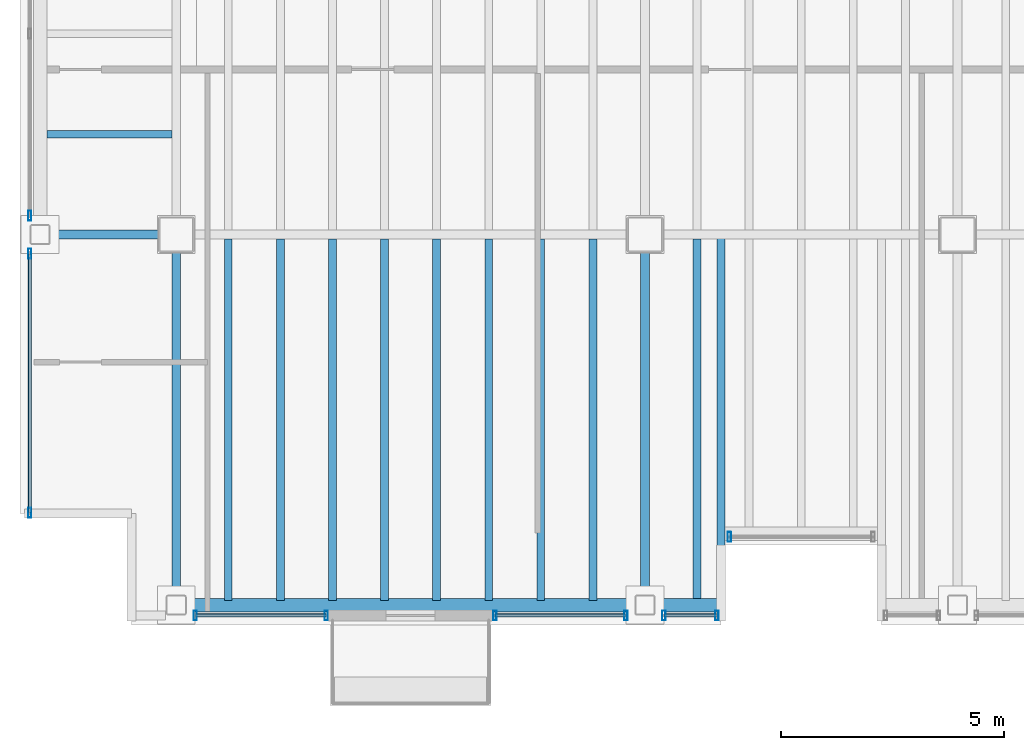
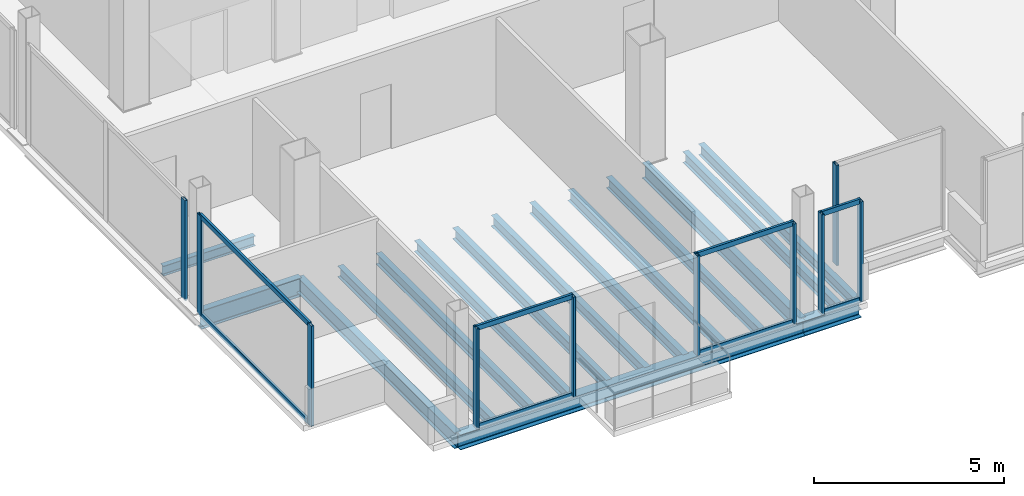
# One storey, part 2 of 15: 18 members, 16 beams, 6 elements without a shape of their own.
"""IFC4 building model written with IfcOpenShell, lengths in metres."""

from ifc_helpers import new_model, si_unit, direction, frame, origin, origin_2d, place, context, subcontext, project, spatial, hollow_rectangle, i_section, extrude, material, material_profile, profile_set, type_object, element, aggregate, save


model = new_model("IFC4")

# Units and contexts
model_context = context("Model", 3, precision=1e-05, world=origin(), true_north=direction((0.0, 1.0)))
body_context = subcontext(model_context, "Body", "Model", "MODEL_VIEW")
ifc_project = project(units=[si_unit("LENGTHUNIT", "METRE"), si_unit("AREAUNIT", "SQUARE_METRE"), si_unit("VOLUMEUNIT", "CUBIC_METRE"), si_unit("PLANEANGLEUNIT", "RADIAN"), si_unit("MASSUNIT", "GRAM", prefix="KILO")], contexts=[model_context])

# Site, building, storey
site_placement = place(None, origin())
site = spatial("IfcSite", under=ifc_project, at=site_placement, CompositionType="ELEMENT")
building_placement = place(site_placement, origin())
building = spatial("IfcBuilding", under=site, at=building_placement, Name="Noeulbin Bourse Tower", CompositionType="ELEMENT")
storey_placement = place(building_placement, frame((0.0, 0.0, 215.0)))
storey = spatial("IfcBuildingStorey", under=building, at=storey_placement, Name="L53", CompositionType="ELEMENT", Elevation=215.0)

# Beams
ifc_material_1 = material(Name="Steel S355", Category="steel")
ifc_material_profile_1 = material_profile(ifc_material_1, i_section(OverallWidth=0.199951171875, OverallDepth=0.5, WebThickness=0.010009765625, FlangeThickness=0.01611328125, FilletRadius=0.02001953125, at=origin_2d()), Name="H-500x200x10x16", Category="LoadBearing")
ifc_profile_set_1 = profile_set([ifc_material_profile_1], Name="Steel S355")
beam_type_1 = type_object("IfcBeamType", Name="BM-GRD-500", PredefinedType="USERDEFINED", material=ifc_profile_set_1)
for number, where, z_axis, x_axis, name in (
    (1, (13.5, 11.699951171875, -0.429931640625), (0.0, 1.0, 0.0), (-1.0, 0.0, 0.0), "Tower Primary Girder NS L53-1.1"),
    (2, (24.0, 11.699951171875, -0.429931640625), (0.0, 1.0, 0.0), (-1.0, 0.0, 0.0), "Tower Primary Girder NS L53-2.1"),
):
    element("IfcBeam", number, at=place(storey_placement, frame(where, z_axis=z_axis, x_axis=x_axis)), inside=storey, type_object=beam_type_1, Name=name, ObjectType="GIRDER", PredefinedType="USERDEFINED", context=body_context, shape_type="SweptSolid", body=[
        extrude(i_section(OverallWidth=0.199951171875, OverallDepth=0.5, WebThickness=0.010009765625, FlangeThickness=0.01611328125, FilletRadius=0.02001953125, at=origin_2d()), origin(), (0.0, 0.0, 1.0), 8.300048828125),
    ])
ifc_material_profile_2 = material_profile(ifc_material_1, i_section(OverallWidth=0.199951171875, OverallDepth=0.60009765625, WebThickness=0.010986328125, FlangeThickness=0.01708984375, FilletRadius=0.02197265625, at=origin_2d()), Name="H-600x200x11x17", Category="LoadBearing")
ifc_profile_set_2 = profile_set([ifc_material_profile_2], Name="Steel S355")
beam_type_2 = type_object("IfcBeamType", Name="BM-GRD-600", PredefinedType="USERDEFINED", material=ifc_profile_set_2)
beam_1_placement = place(storey_placement, frame((10.449951171875, 20.0, -0.47998046875), z_axis=(1.0, 0.0, 0.0), x_axis=(0.0, 1.0, 0.0)))
element("IfcBeam", 3, at=beam_1_placement, inside=storey, type_object=beam_type_2, Name="Tower Primary Girder EW L53-1.1", ObjectType="GIRDER", PredefinedType="USERDEFINED", context=body_context, shape_type="SweptSolid", body=[
    extrude(i_section(OverallWidth=0.199951171875, OverallDepth=0.60009765625, WebThickness=0.010986328125, FlangeThickness=0.01708984375, FilletRadius=0.02197265625, at=origin_2d()), origin(), (0.0, 0.0, 1.0), 3.050048828125),
])
ifc_material_profile_3 = material_profile(ifc_material_1, i_section(OverallWidth=0.159912109375, OverallDepth=0.320068359375, WebThickness=0.006591796875, FlangeThickness=0.010009765625, FilletRadius=0.012939453125, at=origin_2d()), Name="H-320x160x6.5x10", Category="LoadBearing")
ifc_profile_set_3 = profile_set([ifc_material_profile_3], Name="Steel S355")
beam_type_3 = type_object("IfcBeamType", Name="BM-JST-320", PredefinedType="JOIST", material=ifc_profile_set_3)
beam_2_placement = place(storey_placement, frame((10.60009765625, 22.25, -0.340087890625), z_axis=(1.0, 0.0, 0.0), x_axis=(0.0, 1.0, 0.0)))
element("IfcBeam", 4, at=beam_2_placement, inside=storey, type_object=beam_type_3, Name="Wing Composite Joist L53-W47", PredefinedType="JOIST", context=body_context, shape_type="SweptSolid", body=[
    extrude(i_section(OverallWidth=0.159912109375, OverallDepth=0.320068359375, WebThickness=0.006591796875, FlangeThickness=0.010009765625, FilletRadius=0.012939453125, at=origin_2d()), origin(), (0.0, 0.0, 1.0), 2.7998046875),
])
ifc_material_profile_4 = material_profile(ifc_material_1, i_section(OverallWidth=0.175048828125, OverallDepth=0.35009765625, WebThickness=0.007080078125, FlangeThickness=0.010986328125, FilletRadius=0.013916015625, at=origin_2d()), Name="H-350x175x7x11", Category="LoadBearing")
ifc_profile_set_4 = profile_set([ifc_material_profile_4], Name="Steel S355")
beam_type_4 = type_object("IfcBeamType", Name="BM-JST-350", PredefinedType="JOIST", material=ifc_profile_set_4)
beam_3_placement = place(storey_placement, frame((25.699951171875, 11.699951171875, -0.35498046875), z_axis=(0.0, 1.0, 0.0), x_axis=(-1.0, 0.0, 0.0)))
element("IfcBeam", 5, at=beam_3_placement, inside=storey, type_object=beam_type_4, Name="BM-L53-SRT-W", PredefinedType="JOIST", context=body_context, shape_type="SweptSolid", body=[
    extrude(i_section(OverallWidth=0.175048828125, OverallDepth=0.35009765625, WebThickness=0.007080078125, FlangeThickness=0.010986328125, FilletRadius=0.013916015625, at=origin_2d()), origin(), (0.0, 0.0, 1.0), 8.300048828125),
])
for number, where, z_axis, x_axis, name in (
    (6, (14.666748046875, 11.800048828125, -0.35498046875), (0.0, 1.0, 0.0), (-1.0, 0.0, 0.0), "Tower Composite Joist L53-01"),
    (7, (15.833251953125, 11.800048828125, -0.35498046875), (0.0, 1.0, 0.0), (-1.0, 0.0, 0.0), "Tower Composite Joist L53-03"),
    (8, (17.0, 11.800048828125, -0.35498046875), (0.0, 1.0, 0.0), (-1.0, 0.0, 0.0), "Tower Composite Joist L53-05"),
    (9, (18.166748046875, 11.800048828125, -0.35498046875), (0.0, 1.0, 0.0), (-1.0, 0.0, 0.0), "Tower Composite Joist L53-07"),
    (10, (19.333251953125, 11.800048828125, -0.35498046875), (0.0, 1.0, 0.0), (-1.0, 0.0, 0.0), "Tower Composite Joist L53-09"),
    (11, (20.5, 11.800048828125, -0.35498046875), (0.0, 1.0, 0.0), (-1.0, 0.0, 0.0), "Tower Composite Joist L53-11"),
    (12, (21.666748046875, 11.800048828125, -0.35498046875), (0.0, 1.0, 0.0), (-1.0, 0.0, 0.0), "Tower Composite Joist L53-13"),
    (13, (22.833251953125, 11.800048828125, -0.35498046875), (0.0, 1.0, 0.0), (-1.0, 0.0, 0.0), "Tower Composite Joist L53-15"),
    (14, (25.166748046875, 11.800048828125, -0.35498046875), (0.0, 1.0, 0.0), (-1.0, 0.0, 0.0), "Tower Composite Joist L53-17"),
):
    element("IfcBeam", number, at=place(storey_placement, frame(where, z_axis=z_axis, x_axis=x_axis)), inside=storey, type_object=beam_type_4, Name=name, PredefinedType="JOIST", context=body_context, shape_type="SweptSolid", body=[
        extrude(i_section(OverallWidth=0.175048828125, OverallDepth=0.35009765625, WebThickness=0.007080078125, FlangeThickness=0.010986328125, FilletRadius=0.013916015625, at=origin_2d()), origin(), (0.0, 0.0, 1.0), 8.099853515625),
    ])
ifc_material_profile_5 = material_profile(ifc_material_1, i_section(OverallWidth=0.300048828125, OverallDepth=0.488037109375, WebThickness=0.010986328125, FlangeThickness=0.01806640625, FilletRadius=0.02197265625, at=origin_2d()), Name="H-488x300x11x18", Category="LoadBearing")
ifc_profile_set_5 = profile_set([ifc_material_profile_5], Name="Steel S355")
beam_type_5 = type_object("IfcBeamType", Name="BM-SPN-488", PredefinedType="SPANDREL", material=ifc_profile_set_5)
beam_4_placement = place(storey_placement, frame((13.5, 11.699951171875, -0.424072265625), z_axis=(1.0, 0.0, 0.0), x_axis=(0.0, 1.0, 0.0)))
element("IfcBeam", 15, at=beam_4_placement, inside=storey, type_object=beam_type_5, Name="South Spandrel L53-1", PredefinedType="SPANDREL", context=body_context, shape_type="SweptSolid", body=[
    extrude(i_section(OverallWidth=0.300048828125, OverallDepth=0.488037109375, WebThickness=0.010986328125, FlangeThickness=0.01806640625, FilletRadius=0.02197265625, at=origin_2d()), origin(), (0.0, 0.0, 1.0), 10.5),
])
beam_5_placement = place(storey_placement, frame((24.0, 11.699951171875, -0.424072265625), z_axis=(1.0, 0.0, 0.0), x_axis=(0.0, 1.0, 0.0)))
element("IfcBeam", 16, at=beam_5_placement, inside=storey, type_object=beam_type_5, Name="South Spandrel L53-2A", PredefinedType="SPANDREL", context=body_context, shape_type="SweptSolid", body=[
    extrude(i_section(OverallWidth=0.300048828125, OverallDepth=0.488037109375, WebThickness=0.010986328125, FlangeThickness=0.01806640625, FilletRadius=0.02197265625, at=origin_2d()), origin(), (0.0, 0.0, 1.0), 1.699951171875),
])

# Curtain wall, member
ifc_material_2 = material(Name="High-Selectivity Low-Iron Glazing", Category="glass")
curtain_wall_type = type_object("IfcCurtainWallType", Name="CW-SYS-4", PredefinedType="NOTDEFINED", material=ifc_material_2)
curtain_wall_1_placement = place(storey_placement, origin())
curtain_wall_1 = element("IfcCurtainWall", 17, at=curtain_wall_1_placement, inside=storey, type_object=curtain_wall_type, Name="Unitised Curtain Wall CW-L53-SREC", PredefinedType="NOTDEFINED")
ifc_material_3 = material(Name="Anodised Aluminium 6063-T6", Category="aluminium")
ifc_material_profile_6 = material_profile(ifc_material_3, hollow_rectangle(XDim=0.074951171875, YDim=0.219970703125, WallThickness=0.0048828125, InnerFilletRadius=0.00244140625, OuterFilletRadius=0.0048828125, at=origin_2d()), Name="ALU-MULL-75x220x5", Category="LoadBearing")
ifc_profile_set_6 = profile_set([ifc_material_profile_6], Name="Anodised Aluminium 6063-T6")
member_type_1 = type_object("IfcMemberType", Name="CW-SYS-4-MUL", PredefinedType="MULLION", material=ifc_profile_set_6)
member_1_placement = place(storey_placement, frame((25.889892578125, 13.22998046875, -0.02001953125), z_axis=(0.0, 0.0, 1.0), x_axis=(1.0, 0.0, 0.0)))
member_1 = element("IfcMember", 18, at=member_1_placement, type_object=member_type_1, Name="Curtain Wall Mullion CW-L53-SREC-M00", PredefinedType="MULLION", context=body_context, shape_type="SweptSolid", body=[
    extrude(hollow_rectangle(XDim=0.074951171875, YDim=0.219970703125, WallThickness=0.0048828125, InnerFilletRadius=0.00244140625, OuterFilletRadius=0.0048828125, at=origin_2d()), origin(), (0.0, 0.0, 1.0), 3.219970703125),
])
aggregate(curtain_wall_1, [member_1])

# Curtain wall, members
curtain_wall_2_placement = place(storey_placement, origin())
curtain_wall_2 = element("IfcCurtainWall", 19, at=curtain_wall_2_placement, inside=storey, type_object=curtain_wall_type, Name="Unitised Curtain Wall CW-L53-S1", PredefinedType="NOTDEFINED")
member_2_placement = place(storey_placement, frame((13.925048828125, 11.469970703125, -0.02001953125), z_axis=(0.0, 0.0, 1.0), x_axis=(1.0, 0.0, 0.0)))
member_2 = element("IfcMember", 20, at=member_2_placement, type_object=member_type_1, Name="Curtain Wall Mullion CW-L53-S1-M00", PredefinedType="MULLION", context=body_context, shape_type="SweptSolid", body=[
    extrude(hollow_rectangle(XDim=0.074951171875, YDim=0.219970703125, WallThickness=0.0048828125, InnerFilletRadius=0.00244140625, OuterFilletRadius=0.0048828125, at=origin_2d()), origin(), (0.0, 0.0, 1.0), 3.219970703125),
])
member_3_placement = place(storey_placement, frame((16.860107421875, 11.469970703125, -0.02001953125), z_axis=(0.0, 0.0, 1.0), x_axis=(1.0, 0.0, 0.0)))
member_3 = element("IfcMember", 21, at=member_3_placement, type_object=member_type_1, Name="Curtain Wall Mullion CW-L53-S1-M01", PredefinedType="MULLION", context=body_context, shape_type="SweptSolid", body=[
    extrude(hollow_rectangle(XDim=0.074951171875, YDim=0.219970703125, WallThickness=0.0048828125, InnerFilletRadius=0.00244140625, OuterFilletRadius=0.0048828125, at=origin_2d()), origin(), (0.0, 0.0, 1.0), 3.219970703125),
])

curtain_wall_3_placement = place(storey_placement, origin())
curtain_wall_3 = element("IfcCurtainWall", 22, at=curtain_wall_3_placement, inside=storey, type_object=curtain_wall_type, Name="Unitised Curtain Wall CW-L53-S2-S1", PredefinedType="NOTDEFINED")
member_4_placement = place(storey_placement, frame((20.639892578125, 11.469970703125, -0.02001953125), z_axis=(0.0, 0.0, 1.0), x_axis=(1.0, 0.0, 0.0)))
member_4 = element("IfcMember", 23, at=member_4_placement, type_object=member_type_1, Name="Curtain Wall Mullion CW-L53-S2-S1-M00", PredefinedType="MULLION", context=body_context, shape_type="SweptSolid", body=[
    extrude(hollow_rectangle(XDim=0.074951171875, YDim=0.219970703125, WallThickness=0.0048828125, InnerFilletRadius=0.00244140625, OuterFilletRadius=0.0048828125, at=origin_2d()), origin(), (0.0, 0.0, 1.0), 3.219970703125),
])
member_5_placement = place(storey_placement, frame((23.574951171875, 11.469970703125, -0.02001953125), z_axis=(0.0, 0.0, 1.0), x_axis=(1.0, 0.0, 0.0)))
member_5 = element("IfcMember", 24, at=member_5_placement, type_object=member_type_1, Name="Curtain Wall Mullion CW-L53-S2-S1-M01", PredefinedType="MULLION", context=body_context, shape_type="SweptSolid", body=[
    extrude(hollow_rectangle(XDim=0.074951171875, YDim=0.219970703125, WallThickness=0.0048828125, InnerFilletRadius=0.00244140625, OuterFilletRadius=0.0048828125, at=origin_2d()), origin(), (0.0, 0.0, 1.0), 3.219970703125),
])

curtain_wall_4_placement = place(storey_placement, origin())
curtain_wall_4 = element("IfcCurtainWall", 25, at=curtain_wall_4_placement, inside=storey, type_object=curtain_wall_type, Name="Unitised Curtain Wall CW-L53-S2-S2", PredefinedType="NOTDEFINED")
member_6_placement = place(storey_placement, frame((24.425048828125, 11.469970703125, -0.02001953125), z_axis=(0.0, 0.0, 1.0), x_axis=(1.0, 0.0, 0.0)))
member_6 = element("IfcMember", 26, at=member_6_placement, type_object=member_type_1, Name="Curtain Wall Mullion CW-L53-S2-S2-M00", PredefinedType="MULLION", context=body_context, shape_type="SweptSolid", body=[
    extrude(hollow_rectangle(XDim=0.074951171875, YDim=0.219970703125, WallThickness=0.0048828125, InnerFilletRadius=0.00244140625, OuterFilletRadius=0.0048828125, at=origin_2d()), origin(), (0.0, 0.0, 1.0), 3.219970703125),
])
member_7_placement = place(storey_placement, frame((25.610107421875, 11.469970703125, -0.02001953125), z_axis=(0.0, 0.0, 1.0), x_axis=(1.0, 0.0, 0.0)))
member_7 = element("IfcMember", 27, at=member_7_placement, type_object=member_type_1, Name="Curtain Wall Mullion CW-L53-S2-S2-M01", PredefinedType="MULLION", context=body_context, shape_type="SweptSolid", body=[
    extrude(hollow_rectangle(XDim=0.074951171875, YDim=0.219970703125, WallThickness=0.0048828125, InnerFilletRadius=0.00244140625, OuterFilletRadius=0.0048828125, at=origin_2d()), origin(), (0.0, 0.0, 1.0), 3.219970703125),
])

curtain_wall_5_placement = place(storey_placement, origin())
curtain_wall_5 = element("IfcCurtainWall", 28, at=curtain_wall_5_placement, inside=storey, type_object=curtain_wall_type, Name="Unitised Curtain Wall CW-L53-W-S1", PredefinedType="NOTDEFINED")
member_8_placement = place(storey_placement, frame((10.219970703125, 13.77001953125, -0.02001953125), z_axis=(0.0, 0.0, 1.0), x_axis=(1.0, 0.0, 0.0)))
member_8 = element("IfcMember", 29, at=member_8_placement, type_object=member_type_1, Name="Curtain Wall Mullion CW-L53-W-S1-M00", PredefinedType="MULLION", context=body_context, shape_type="SweptSolid", body=[
    extrude(hollow_rectangle(XDim=0.074951171875, YDim=0.219970703125, WallThickness=0.0048828125, InnerFilletRadius=0.00244140625, OuterFilletRadius=0.0048828125, at=origin_2d()), origin(), (0.0, 0.0, 1.0), 3.219970703125),
])
member_9_placement = place(storey_placement, frame((10.219970703125, 19.574951171875, -0.02001953125), z_axis=(0.0, 0.0, 1.0), x_axis=(1.0, 0.0, 0.0)))
member_9 = element("IfcMember", 30, at=member_9_placement, type_object=member_type_1, Name="Curtain Wall Mullion CW-L53-W-S1-M01", PredefinedType="MULLION", context=body_context, shape_type="SweptSolid", body=[
    extrude(hollow_rectangle(XDim=0.074951171875, YDim=0.219970703125, WallThickness=0.0048828125, InnerFilletRadius=0.00244140625, OuterFilletRadius=0.0048828125, at=origin_2d()), origin(), (0.0, 0.0, 1.0), 3.219970703125),
])

# Curtain wall, member
curtain_wall_6_placement = place(storey_placement, origin())
curtain_wall_6 = element("IfcCurtainWall", 31, at=curtain_wall_6_placement, inside=storey, type_object=curtain_wall_type, Name="Unitised Curtain Wall CW-L53-W-S2", PredefinedType="NOTDEFINED")
member_10_placement = place(storey_placement, frame((10.219970703125, 20.425048828125, -0.02001953125), z_axis=(0.0, 0.0, 1.0), x_axis=(1.0, 0.0, 0.0)))
member_10 = element("IfcMember", 32, at=member_10_placement, type_object=member_type_1, Name="Curtain Wall Mullion CW-L53-W-S2-M00", PredefinedType="MULLION", context=body_context, shape_type="SweptSolid", body=[
    extrude(hollow_rectangle(XDim=0.074951171875, YDim=0.219970703125, WallThickness=0.0048828125, InnerFilletRadius=0.00244140625, OuterFilletRadius=0.0048828125, at=origin_2d()), origin(), (0.0, 0.0, 1.0), 3.219970703125),
])
aggregate(curtain_wall_6, [member_10])

# Member
ifc_material_profile_7 = material_profile(ifc_material_3, hollow_rectangle(XDim=0.074951171875, YDim=0.159912109375, WallThickness=0.0048828125, InnerFilletRadius=0.00244140625, OuterFilletRadius=0.0048828125, at=origin_2d()), Name="ALU-TRAN-75x160x5", Category="LoadBearing")
ifc_profile_set_7 = profile_set([ifc_material_profile_7], Name="Anodised Aluminium 6063-T6")
member_type_2 = type_object("IfcMemberType", Name="CW-SYS-4-TRN", PredefinedType="USERDEFINED", material=ifc_profile_set_7)
member_11_placement = place(storey_placement, frame((13.93505859375, 11.469970703125, 0.010009765625), z_axis=(1.0, 0.0, 0.0), x_axis=(0.0, 1.0, 0.0)))
member_11 = element("IfcMember", 33, at=member_11_placement, type_object=member_type_2, Name="Curtain Wall Transom CW-L53-S1-T00", ObjectType="TRANSOM", PredefinedType="USERDEFINED", context=body_context, shape_type="SweptSolid", body=[
    extrude(hollow_rectangle(XDim=0.074951171875, YDim=0.159912109375, WallThickness=0.0048828125, InnerFilletRadius=0.00244140625, OuterFilletRadius=0.0048828125, at=origin_2d()), origin(), (0.0, 0.0, 1.0), 2.9150390625),
])

member_12_placement = place(storey_placement, frame((13.93505859375, 11.469970703125, 3.169921875), z_axis=(1.0, 0.0, 0.0), x_axis=(0.0, 1.0, 0.0)))
member_12 = element("IfcMember", 34, at=member_12_placement, type_object=member_type_2, Name="Curtain Wall Transom CW-L53-S1-T01", ObjectType="TRANSOM", PredefinedType="USERDEFINED", context=body_context, shape_type="SweptSolid", body=[
    extrude(hollow_rectangle(XDim=0.074951171875, YDim=0.159912109375, WallThickness=0.0048828125, InnerFilletRadius=0.00244140625, OuterFilletRadius=0.0048828125, at=origin_2d()), origin(), (0.0, 0.0, 1.0), 2.9150390625),
])

aggregate(curtain_wall_2, [member_2, member_3, member_11, member_12])

member_13_placement = place(storey_placement, frame((20.64990234375, 11.469970703125, 0.010009765625), z_axis=(1.0, 0.0, 0.0), x_axis=(0.0, 1.0, 0.0)))
member_13 = element("IfcMember", 35, at=member_13_placement, type_object=member_type_2, Name="Curtain Wall Transom CW-L53-S2-S1-T00", ObjectType="TRANSOM", PredefinedType="USERDEFINED", context=body_context, shape_type="SweptSolid", body=[
    extrude(hollow_rectangle(XDim=0.074951171875, YDim=0.159912109375, WallThickness=0.0048828125, InnerFilletRadius=0.00244140625, OuterFilletRadius=0.0048828125, at=origin_2d()), origin(), (0.0, 0.0, 1.0), 2.9150390625),
])

member_14_placement = place(storey_placement, frame((20.64990234375, 11.469970703125, 3.169921875), z_axis=(1.0, 0.0, 0.0), x_axis=(0.0, 1.0, 0.0)))
member_14 = element("IfcMember", 36, at=member_14_placement, type_object=member_type_2, Name="Curtain Wall Transom CW-L53-S2-S1-T01", ObjectType="TRANSOM", PredefinedType="USERDEFINED", context=body_context, shape_type="SweptSolid", body=[
    extrude(hollow_rectangle(XDim=0.074951171875, YDim=0.159912109375, WallThickness=0.0048828125, InnerFilletRadius=0.00244140625, OuterFilletRadius=0.0048828125, at=origin_2d()), origin(), (0.0, 0.0, 1.0), 2.9150390625),
])

aggregate(curtain_wall_3, [member_4, member_5, member_13, member_14])

member_15_placement = place(storey_placement, frame((24.43505859375, 11.469970703125, 0.010009765625), z_axis=(1.0, 0.0, 0.0), x_axis=(0.0, 1.0, 0.0)))
member_15 = element("IfcMember", 37, at=member_15_placement, type_object=member_type_2, Name="Curtain Wall Transom CW-L53-S2-S2-T00", ObjectType="TRANSOM", PredefinedType="USERDEFINED", context=body_context, shape_type="SweptSolid", body=[
    extrude(hollow_rectangle(XDim=0.074951171875, YDim=0.159912109375, WallThickness=0.0048828125, InnerFilletRadius=0.00244140625, OuterFilletRadius=0.0048828125, at=origin_2d()), origin(), (0.0, 0.0, 1.0), 1.1650390625),
])

member_16_placement = place(storey_placement, frame((24.43505859375, 11.469970703125, 3.169921875), z_axis=(1.0, 0.0, 0.0), x_axis=(0.0, 1.0, 0.0)))
member_16 = element("IfcMember", 38, at=member_16_placement, type_object=member_type_2, Name="Curtain Wall Transom CW-L53-S2-S2-T01", ObjectType="TRANSOM", PredefinedType="USERDEFINED", context=body_context, shape_type="SweptSolid", body=[
    extrude(hollow_rectangle(XDim=0.074951171875, YDim=0.159912109375, WallThickness=0.0048828125, InnerFilletRadius=0.00244140625, OuterFilletRadius=0.0048828125, at=origin_2d()), origin(), (0.0, 0.0, 1.0), 1.1650390625),
])

aggregate(curtain_wall_4, [member_6, member_7, member_15, member_16])

member_17_placement = place(storey_placement, frame((10.219970703125, 13.780029296875, 0.010009765625), z_axis=(0.0, 1.0, 0.0), x_axis=(-1.0, 0.0, 0.0)))
member_17 = element("IfcMember", 39, at=member_17_placement, type_object=member_type_2, Name="Curtain Wall Transom CW-L53-W-S1-T00", ObjectType="TRANSOM", PredefinedType="USERDEFINED", context=body_context, shape_type="SweptSolid", body=[
    extrude(hollow_rectangle(XDim=0.074951171875, YDim=0.159912109375, WallThickness=0.0048828125, InnerFilletRadius=0.00244140625, OuterFilletRadius=0.0048828125, at=origin_2d()), origin(), (0.0, 0.0, 1.0), 5.784912109375),
])

member_18_placement = place(storey_placement, frame((10.219970703125, 13.780029296875, 3.169921875), z_axis=(0.0, 1.0, 0.0), x_axis=(-1.0, 0.0, 0.0)))
member_18 = element("IfcMember", 40, at=member_18_placement, type_object=member_type_2, Name="Curtain Wall Transom CW-L53-W-S1-T01", ObjectType="TRANSOM", PredefinedType="USERDEFINED", context=body_context, shape_type="SweptSolid", body=[
    extrude(hollow_rectangle(XDim=0.074951171875, YDim=0.159912109375, WallThickness=0.0048828125, InnerFilletRadius=0.00244140625, OuterFilletRadius=0.0048828125, at=origin_2d()), origin(), (0.0, 0.0, 1.0), 5.784912109375),
])

aggregate(curtain_wall_5, [member_8, member_9, member_17, member_18])

save(model, "model.ifc")
